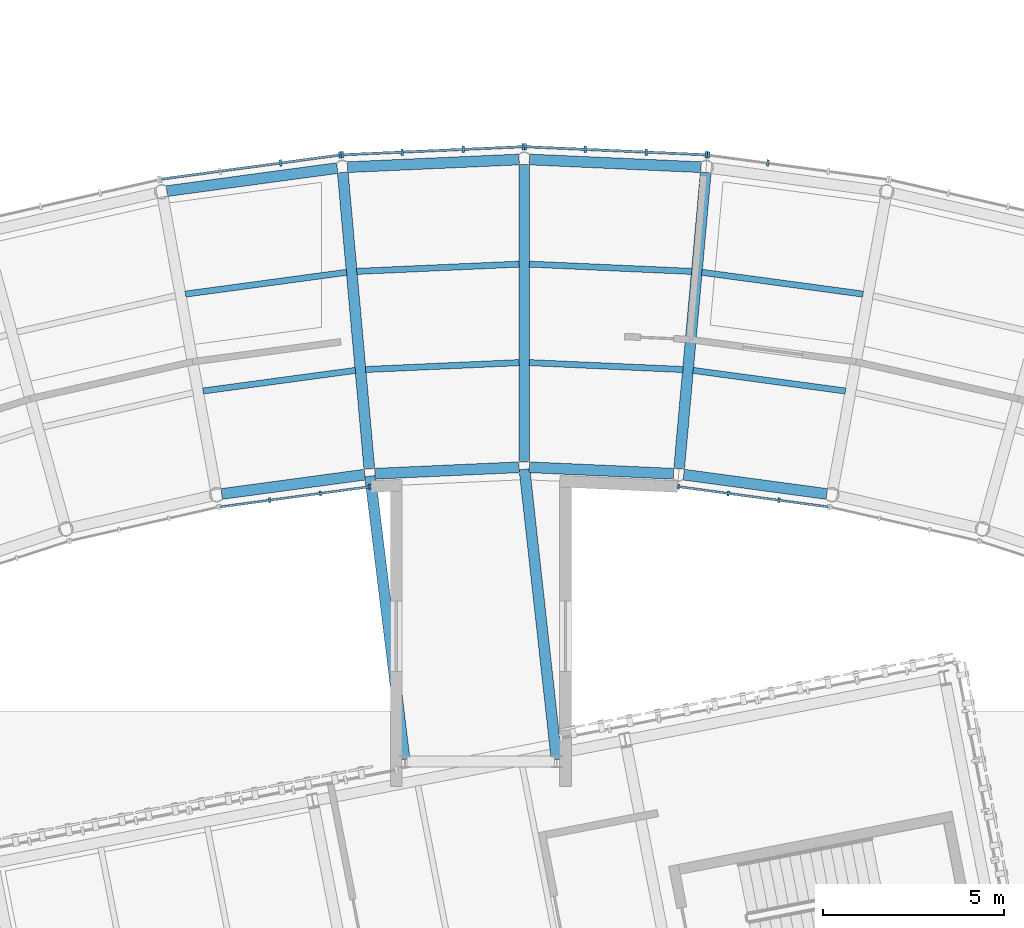
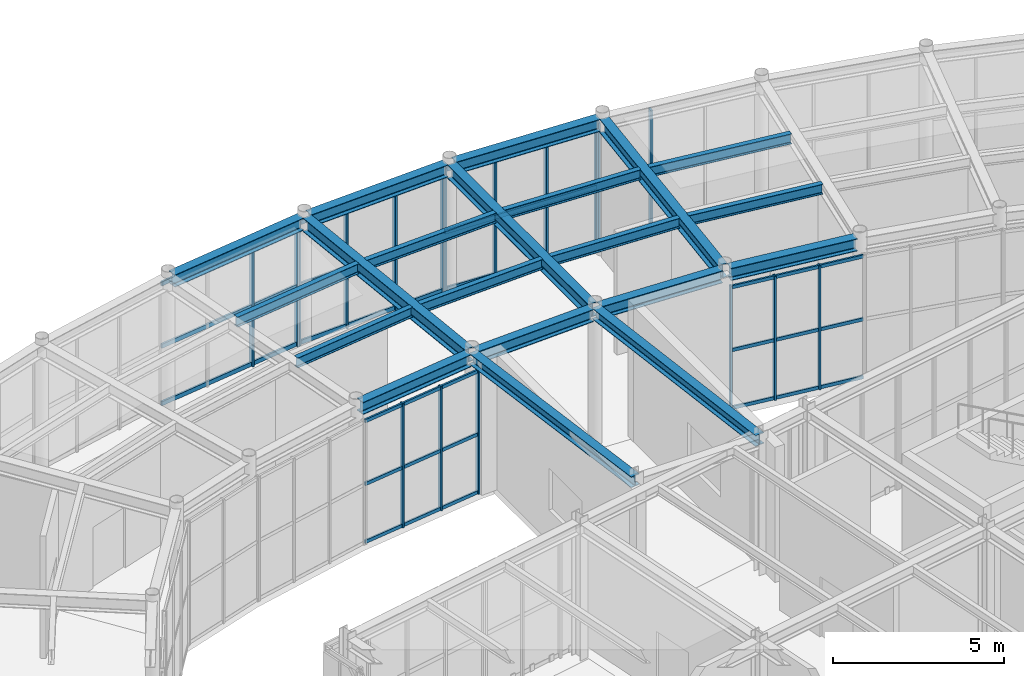
# One storey, part 47 of 97: 33 members, 20 beams, 6 elements without a shape of their own.
"""IFC4 building model written with IfcOpenShell, lengths in metres."""

from ifc_helpers import new_model, si_unit, direction, frame, origin, origin_2d, place, context, subcontext, project, spatial, rectangle, i_section, extrude, material, material_profile, profile_set, type_object, element, aggregate, save


model = new_model("IFC4")

# Units and contexts
model_context = context("Model", 3, precision=1e-05, world=origin(), true_north=direction((0.0, 1.0)))
body_context = subcontext(model_context, "Body", "Model", "MODEL_VIEW")
ifc_project = project(units=[si_unit("LENGTHUNIT", "METRE"), si_unit("AREAUNIT", "SQUARE_METRE"), si_unit("VOLUMEUNIT", "CUBIC_METRE"), si_unit("PLANEANGLEUNIT", "RADIAN"), si_unit("MASSUNIT", "GRAM", prefix="KILO")], contexts=[model_context])

# Site, building, storey
site_placement = place(None, origin())
site = spatial("IfcSite", under=ifc_project, at=site_placement, CompositionType="ELEMENT")
building_placement = place(site_placement, origin())
building = spatial("IfcBuilding", under=site, at=building_placement, Name="Varnklinge Art Gallery", CompositionType="ELEMENT")
storey_placement = place(building_placement, origin())
storey = spatial("IfcBuildingStorey", under=building, at=storey_placement, Name="L00", CompositionType="ELEMENT", Elevation=0.0)

# Beams
ifc_material_1 = material(Name="Steel S355", Category="steel")
ifc_material_profile_1 = material_profile(ifc_material_1, i_section(OverallWidth=0.300048828125, OverallDepth=0.489990234375, WebThickness=0.011962890625, FlangeThickness=0.02294921875, FilletRadius=0.027099609375, at=origin_2d()), Name="HEA 500")
ifc_profile_set_1 = profile_set([ifc_material_profile_1], Name="Steel S355")
beam_type_1 = type_object("IfcBeamType", Name="BM-07", PredefinedType="BEAM", material=ifc_profile_set_1)
beam_1_placement = place(storey_placement, frame((80.517822265625, 96.889892578125, 4.635009765625), z_axis=(-0.089446998225, -0.995991583553, 0.0), x_axis=(0.995991583553, -0.089446998225, 0.0)))
element("IfcBeam", 1, at=beam_1_placement, inside=storey, type_object=beam_type_1, Name="L00 BM-07 BM-V2-L01-R16", PredefinedType="BEAM", context=body_context, shape_type="SweptSolid", body=[
    extrude(i_section(OverallWidth=0.300048828125, OverallDepth=0.489990234375, WebThickness=0.011962890625, FlangeThickness=0.02294921875, FilletRadius=0.027099609375, at=origin_2d()), origin(), (0.0, 0.0, 1.0), 8.229248046875),
])
beam_2_placement = place(storey_placement, frame((75.5, 97.114501953125, 4.635009765625), z_axis=(0.0, -1.0, 0.0), x_axis=(1.0, 0.0, 0.0)))
element("IfcBeam", 2, at=beam_2_placement, inside=storey, type_object=beam_type_1, Name="L00 BM-07 BM-V2-L01-R17", PredefinedType="BEAM", context=body_context, shape_type="SweptSolid", body=[
    extrude(i_section(OverallWidth=0.300048828125, OverallDepth=0.489990234375, WebThickness=0.011962890625, FlangeThickness=0.02294921875, FilletRadius=0.027099609375, at=origin_2d()), origin(), (0.0, 0.0, 1.0), 8.22900390625),
])
beam_3_placement = place(storey_placement, frame((70.482177734375, 96.889892578125, 4.635009765625), z_axis=(0.089446998225, -0.995991583553, 0.0), x_axis=(0.995991583553, 0.089446998225, 0.0)))
element("IfcBeam", 3, at=beam_3_placement, inside=storey, type_object=beam_type_1, Name="L00 BM-07 BM-V2-L01-R18", PredefinedType="BEAM", context=body_context, shape_type="SweptSolid", body=[
    extrude(i_section(OverallWidth=0.300048828125, OverallDepth=0.489990234375, WebThickness=0.011962890625, FlangeThickness=0.02294921875, FilletRadius=0.027099609375, at=origin_2d()), origin(), (0.0, 0.0, 1.0), 8.229248046875),
])
ifc_material_2 = material(Name="Steel S355", Category="steel")
ifc_material_profile_2 = material_profile(ifc_material_2, i_section(OverallWidth=0.300048828125, OverallDepth=0.389892578125, WebThickness=0.010986328125, FlangeThickness=0.01904296875, FilletRadius=0.027099609375, at=origin_2d()), Name="HEA 400")
ifc_profile_set_2 = profile_set([ifc_material_profile_2], Name="Steel S355")
beam_type_2 = type_object("IfcBeamType", Name="BM-09", PredefinedType="BEAM", material=ifc_profile_set_2)
beam_4_placement = place(storey_placement, frame((76.393310546875, 80.65966796875, 4.68505859375), z_axis=(-0.109810964055, 0.993952489897, 0.0), x_axis=(-0.993952489897, -0.109810964055, 0.0)))
element("IfcBeam", 4, at=beam_4_placement, inside=storey, type_object=beam_type_2, Name="L00 BM-09 BM-LNK-V4N-L01-2", PredefinedType="BEAM", context=body_context, shape_type="SweptSolid", body=[
    extrude(i_section(OverallWidth=0.300048828125, OverallDepth=0.389892578125, WebThickness=0.010986328125, FlangeThickness=0.01904296875, FilletRadius=0.027099609375, at=origin_2d()), origin(), (0.0, 0.0, 1.0), 8.074951171875),
])
beam_5_placement = place(storey_placement, frame((71.238037109375, 88.494384765625, 4.68505859375), z_axis=(0.120946581817, -0.992659017159, 0.0), x_axis=(0.992659017159, 0.120946581817, 0.0)))
element("IfcBeam", 5, at=beam_5_placement, inside=storey, type_object=beam_type_2, Name="L00 BM-09 BM-LNK-V4N-L01-4", PredefinedType="BEAM", context=body_context, shape_type="SweptSolid", body=[
    extrude(i_section(OverallWidth=0.300048828125, OverallDepth=0.389892578125, WebThickness=0.010986328125, FlangeThickness=0.01904296875, FilletRadius=0.027099609375, at=origin_2d()), origin(), (0.0, 0.0, 1.0), 7.892578125),
])
ifc_material_3 = material(Name="Steel S355", Category="steel")
ifc_material_profile_3 = material_profile(ifc_material_3, i_section(OverallWidth=0.169921875, OverallDepth=0.360107421875, WebThickness=0.008056640625, FlangeThickness=0.0126953125, FilletRadius=0.01806640625, at=origin_2d()), Name="IPE 360")
ifc_profile_set_3 = profile_set([ifc_material_profile_3], Name="Steel S355")
beam_type_3 = type_object("IfcBeamType", Name="JST-06", PredefinedType="JOIST", material=ifc_profile_set_3)
beam_6_placement = place(storey_placement, frame((84.8662109375, 93.52685546875, 4.699951171875), z_axis=(-0.990994962068, 0.1338991604, 0.0), x_axis=(-0.1338991604, -0.990994962068, 0.0)))
element("IfcBeam", 6, at=beam_6_placement, inside=storey, type_object=beam_type_3, Name="L00 JST-06 JST-V2-L01-15-1", PredefinedType="JOIST", context=body_context, shape_type="SweptSolid", body=[
    extrude(i_section(OverallWidth=0.169921875, OverallDepth=0.360107421875, WebThickness=0.008056640625, FlangeThickness=0.0126953125, FilletRadius=0.01806640625, at=origin_2d()), origin(), (0.0, 0.0, 1.0), 4.496337890625),
])
beam_7_placement = place(storey_placement, frame((84.381103515625, 90.847412109375, 4.699951171875), z_axis=(-0.990990165217, 0.133934657366, 0.0), x_axis=(-0.133934657366, -0.990990165217, 0.0)))
element("IfcBeam", 7, at=beam_7_placement, inside=storey, type_object=beam_type_3, Name="L00 JST-06 JST-V2-L01-15-2", PredefinedType="JOIST", context=body_context, shape_type="SweptSolid", body=[
    extrude(i_section(OverallWidth=0.169921875, OverallDepth=0.360107421875, WebThickness=0.008056640625, FlangeThickness=0.0126953125, FilletRadius=0.01806640625, at=origin_2d()), origin(), (0.0, 0.0, 1.0), 4.252685546875),
])
beam_8_placement = place(storey_placement, frame((80.131591796875, 94.154052734375, 4.699951171875), z_axis=(-0.998998547329, 0.044742624361, 0.0), x_axis=(-0.044742624361, -0.998998547329, 0.0)))
element("IfcBeam", 8, at=beam_8_placement, inside=storey, type_object=beam_type_3, Name="L00 JST-06 JST-V2-L01-16-1", PredefinedType="JOIST", context=body_context, shape_type="SweptSolid", body=[
    extrude(i_section(OverallWidth=0.169921875, OverallDepth=0.360107421875, WebThickness=0.008056640625, FlangeThickness=0.0126953125, FilletRadius=0.01806640625, at=origin_2d()), origin(), (0.0, 0.0, 1.0), 4.49609375),
])
beam_9_placement = place(storey_placement, frame((79.88818359375, 91.44189453125, 4.699951171875), z_axis=(-0.998996870661, 0.044780044774, 0.0), x_axis=(-0.044780044774, -0.998996870661, 0.0)))
element("IfcBeam", 9, at=beam_9_placement, inside=storey, type_object=beam_type_3, Name="L00 JST-06 JST-V2-L01-16-2", PredefinedType="JOIST", context=body_context, shape_type="SweptSolid", body=[
    extrude(i_section(OverallWidth=0.169921875, OverallDepth=0.360107421875, WebThickness=0.008056640625, FlangeThickness=0.0126953125, FilletRadius=0.01806640625, at=origin_2d()), origin(), (0.0, 0.0, 1.0), 4.25244140625),
])
beam_10_placement = place(storey_placement, frame((75.360107421875, 94.355224609375, 4.699951171875), z_axis=(-0.998998547329, -0.044742624361, 0.0), x_axis=(0.044742624361, -0.998998547329, 0.0)))
element("IfcBeam", 10, at=beam_10_placement, inside=storey, type_object=beam_type_3, Name="L00 JST-06 JST-V2-L01-17-1", PredefinedType="JOIST", context=body_context, shape_type="SweptSolid", body=[
    extrude(i_section(OverallWidth=0.169921875, OverallDepth=0.360107421875, WebThickness=0.008056640625, FlangeThickness=0.0126953125, FilletRadius=0.01806640625, at=origin_2d()), origin(), (0.0, 0.0, 1.0), 4.49609375),
])
beam_11_placement = place(storey_placement, frame((75.360107421875, 91.63232421875, 4.699951171875), z_axis=(-0.998996870661, -0.044780044774, 0.0), x_axis=(0.044780044774, -0.998996870661, 0.0)))
element("IfcBeam", 11, at=beam_11_placement, inside=storey, type_object=beam_type_3, Name="L00 JST-06 JST-V2-L01-17-2", PredefinedType="JOIST", context=body_context, shape_type="SweptSolid", body=[
    extrude(i_section(OverallWidth=0.169921875, OverallDepth=0.360107421875, WebThickness=0.008056640625, FlangeThickness=0.0126953125, FilletRadius=0.01806640625, at=origin_2d()), origin(), (0.0, 0.0, 1.0), 4.25244140625),
])
beam_12_placement = place(storey_placement, frame((70.589599609375, 94.12890625, 4.699951171875), z_axis=(-0.990994962068, -0.1338991604, 0.0), x_axis=(0.1338991604, -0.990994962068, 0.0)))
element("IfcBeam", 12, at=beam_12_placement, inside=storey, type_object=beam_type_3, Name="L00 JST-06 JST-V2-L01-18-1", PredefinedType="JOIST", context=body_context, shape_type="SweptSolid", body=[
    extrude(i_section(OverallWidth=0.169921875, OverallDepth=0.360107421875, WebThickness=0.008056640625, FlangeThickness=0.0126953125, FilletRadius=0.01806640625, at=origin_2d()), origin(), (0.0, 0.0, 1.0), 4.496337890625),
])
beam_13_placement = place(storey_placement, frame((70.833251953125, 91.4169921875, 4.699951171875), z_axis=(-0.990990165217, -0.133934657366, 0.0), x_axis=(0.133934657366, -0.990990165217, 0.0)))
element("IfcBeam", 13, at=beam_13_placement, inside=storey, type_object=beam_type_3, Name="L00 JST-06 JST-V2-L01-18-2", PredefinedType="JOIST", context=body_context, shape_type="SweptSolid", body=[
    extrude(i_section(OverallWidth=0.169921875, OverallDepth=0.360107421875, WebThickness=0.008056640625, FlangeThickness=0.0126953125, FilletRadius=0.01806640625, at=origin_2d()), origin(), (0.0, 0.0, 1.0), 4.252685546875),
])

# Curtain wall, members
ifc_material_4 = material(Name="Anodised Aluminium", Category="aluminium")
curtain_wall_type = type_object("IfcCurtainWallType", Name="CW-R03", PredefinedType="USERDEFINED", material=ifc_material_4)
curtain_wall_1_placement = place(storey_placement, origin())
curtain_wall_1 = element("IfcCurtainWall", 14, at=curtain_wall_1_placement, inside=storey, type_object=curtain_wall_type, Name="L00 Curtain Wall CW-V2O-L00-15", ObjectType="UNITISED CURTAIN WALL", PredefinedType="USERDEFINED")
ifc_material_5 = material(Name="Anodised Aluminium", Category="aluminium")
ifc_material_profile_4 = material_profile(ifc_material_5, rectangle(XDim=0.06494140625, YDim=0.179931640625, at=origin_2d()), Name="ALU 65x180")
ifc_profile_set_4 = profile_set([ifc_material_profile_4], Name="Anodised Aluminium")
member_type_1 = type_object("IfcMemberType", Name="MUL-01", PredefinedType="MULLION", material=ifc_profile_set_4)
member_1_placement = place(storey_placement, frame((82.235107421875, 97.151611328125, 0.0), z_axis=(0.0, 0.0, 1.0), x_axis=(-0.990983199715, 0.133986185418, 0.0)))
member_1 = element("IfcMember", 15, at=member_1_placement, type_object=member_type_1, Name="CW-V2O-L00-15 Mullion 3", PredefinedType="MULLION", context=body_context, shape_type="SweptSolid", body=[
    extrude(rectangle(XDim=0.06494140625, YDim=0.179931640625, at=origin_2d()), origin(), (0.0, 0.0, 1.0), 4.429931640625),
])
member_2_placement = place(storey_placement, frame((80.59375, 97.37353515625, 0.0), z_axis=(0.0, 0.0, 1.0), x_axis=(-0.990983199715, 0.133986185418, 0.0)))
member_2 = element("IfcMember", 16, at=member_2_placement, type_object=member_type_1, Name="CW-V2O-L00-15 Mullion 4", PredefinedType="MULLION", context=body_context, shape_type="SweptSolid", body=[
    extrude(rectangle(XDim=0.06494140625, YDim=0.179931640625, at=origin_2d()), origin(), (0.0, 0.0, 1.0), 4.429931640625),
])
aggregate(curtain_wall_1, [member_1, member_2])

curtain_wall_2_placement = place(storey_placement, origin())
curtain_wall_2 = element("IfcCurtainWall", 17, at=curtain_wall_2_placement, inside=storey, type_object=curtain_wall_type, Name="L00 Curtain Wall CW-V2O-L00-16", ObjectType="UNITISED CURTAIN WALL", PredefinedType="USERDEFINED")
member_3_placement = place(storey_placement, frame((80.529052734375, 97.37939453125, 0.0), z_axis=(0.0, 0.0, 1.0), x_axis=(-0.999001995685, 0.044665564108, 0.0)))
member_3 = element("IfcMember", 18, at=member_3_placement, type_object=member_type_1, Name="CW-V2O-L00-16 Mullion 1", PredefinedType="MULLION", context=body_context, shape_type="SweptSolid", body=[
    extrude(rectangle(XDim=0.06494140625, YDim=0.179931640625, at=origin_2d()), origin(), (0.0, 0.0, 1.0), 4.429931640625),
])
member_4_placement = place(storey_placement, frame((78.87451171875, 97.45361328125, 0.0), z_axis=(0.0, 0.0, 1.0), x_axis=(-0.999001995685, 0.044665564108, 0.0)))
member_4 = element("IfcMember", 19, at=member_4_placement, type_object=member_type_1, Name="CW-V2O-L00-16 Mullion 2", PredefinedType="MULLION", context=body_context, shape_type="SweptSolid", body=[
    extrude(rectangle(XDim=0.06494140625, YDim=0.179931640625, at=origin_2d()), origin(), (0.0, 0.0, 1.0), 4.429931640625),
])
member_5_placement = place(storey_placement, frame((77.187255859375, 97.529052734375, 0.0), z_axis=(0.0, 0.0, 1.0), x_axis=(-0.999001995685, 0.044665564108, 0.0)))
member_5 = element("IfcMember", 20, at=member_5_placement, type_object=member_type_1, Name="CW-V2O-L00-16 Mullion 3", PredefinedType="MULLION", context=body_context, shape_type="SweptSolid", body=[
    extrude(rectangle(XDim=0.06494140625, YDim=0.179931640625, at=origin_2d()), origin(), (0.0, 0.0, 1.0), 4.429931640625),
])
member_6_placement = place(storey_placement, frame((75.532470703125, 97.60302734375, 0.0), z_axis=(0.0, 0.0, 1.0), x_axis=(-0.999001995685, 0.044665564108, 0.0)))
member_6 = element("IfcMember", 21, at=member_6_placement, type_object=member_type_1, Name="CW-V2O-L00-16 Mullion 4", PredefinedType="MULLION", context=body_context, shape_type="SweptSolid", body=[
    extrude(rectangle(XDim=0.06494140625, YDim=0.179931640625, at=origin_2d()), origin(), (0.0, 0.0, 1.0), 4.429931640625),
])

curtain_wall_3_placement = place(storey_placement, origin())
curtain_wall_3 = element("IfcCurtainWall", 22, at=curtain_wall_3_placement, inside=storey, type_object=curtain_wall_type, Name="L00 Curtain Wall CW-V2O-L00-17", ObjectType="UNITISED CURTAIN WALL", PredefinedType="USERDEFINED")
member_7_placement = place(storey_placement, frame((75.467529296875, 97.60302734375, 0.0), z_axis=(0.0, 0.0, 1.0), x_axis=(-0.999001995685, -0.044665564108, 0.0)))
member_7 = element("IfcMember", 23, at=member_7_placement, type_object=member_type_1, Name="CW-V2O-L00-17 Mullion 1", PredefinedType="MULLION", context=body_context, shape_type="SweptSolid", body=[
    extrude(rectangle(XDim=0.06494140625, YDim=0.179931640625, at=origin_2d()), origin(), (0.0, 0.0, 1.0), 4.429931640625),
])
member_8_placement = place(storey_placement, frame((73.812744140625, 97.529052734375, 0.0), z_axis=(0.0, 0.0, 1.0), x_axis=(-0.999001995685, -0.044665564108, 0.0)))
member_8 = element("IfcMember", 24, at=member_8_placement, type_object=member_type_1, Name="CW-V2O-L00-17 Mullion 2", PredefinedType="MULLION", context=body_context, shape_type="SweptSolid", body=[
    extrude(rectangle(XDim=0.06494140625, YDim=0.179931640625, at=origin_2d()), origin(), (0.0, 0.0, 1.0), 4.429931640625),
])
member_9_placement = place(storey_placement, frame((72.12548828125, 97.45361328125, 0.0), z_axis=(0.0, 0.0, 1.0), x_axis=(-0.999001995685, -0.044665564108, 0.0)))
member_9 = element("IfcMember", 25, at=member_9_placement, type_object=member_type_1, Name="CW-V2O-L00-17 Mullion 3", PredefinedType="MULLION", context=body_context, shape_type="SweptSolid", body=[
    extrude(rectangle(XDim=0.06494140625, YDim=0.179931640625, at=origin_2d()), origin(), (0.0, 0.0, 1.0), 4.429931640625),
])
member_10_placement = place(storey_placement, frame((70.470947265625, 97.37939453125, 0.0), z_axis=(0.0, 0.0, 1.0), x_axis=(-0.999001995685, -0.044665564108, 0.0)))
member_10 = element("IfcMember", 26, at=member_10_placement, type_object=member_type_1, Name="CW-V2O-L00-17 Mullion 4", PredefinedType="MULLION", context=body_context, shape_type="SweptSolid", body=[
    extrude(rectangle(XDim=0.06494140625, YDim=0.179931640625, at=origin_2d()), origin(), (0.0, 0.0, 1.0), 4.429931640625),
])

curtain_wall_4_placement = place(storey_placement, origin())
curtain_wall_4 = element("IfcCurtainWall", 27, at=curtain_wall_4_placement, inside=storey, type_object=curtain_wall_type, Name="L00 Curtain Wall CW-V2O-L00-18", ObjectType="UNITISED CURTAIN WALL", PredefinedType="USERDEFINED")
member_11_placement = place(storey_placement, frame((70.40625, 97.37353515625, 0.0), z_axis=(0.0, 0.0, 1.0), x_axis=(-0.990983199715, -0.133986185418, 0.0)))
member_11 = element("IfcMember", 28, at=member_11_placement, type_object=member_type_1, Name="CW-V2O-L00-18 Mullion 1", PredefinedType="MULLION", context=body_context, shape_type="SweptSolid", body=[
    extrude(rectangle(XDim=0.06494140625, YDim=0.179931640625, at=origin_2d()), origin(), (0.0, 0.0, 1.0), 4.429931640625),
])
member_12_placement = place(storey_placement, frame((68.764892578125, 97.151611328125, 0.0), z_axis=(0.0, 0.0, 1.0), x_axis=(-0.990983199715, -0.133986185418, 0.0)))
member_12 = element("IfcMember", 29, at=member_12_placement, type_object=member_type_1, Name="CW-V2O-L00-18 Mullion 2", PredefinedType="MULLION", context=body_context, shape_type="SweptSolid", body=[
    extrude(rectangle(XDim=0.06494140625, YDim=0.179931640625, at=origin_2d()), origin(), (0.0, 0.0, 1.0), 4.429931640625),
])

curtain_wall_5_placement = place(storey_placement, origin())
curtain_wall_5 = element("IfcCurtainWall", 30, at=curtain_wall_5_placement, inside=storey, type_object=curtain_wall_type, Name="L00 Curtain Wall CW-V2I-L00-15", ObjectType="UNITISED CURTAIN WALL", PredefinedType="USERDEFINED")
ifc_material_6 = material(Name="Anodised Aluminium", Category="aluminium")
ifc_material_profile_5 = material_profile(ifc_material_6, rectangle(XDim=0.06005859375, YDim=0.139892578125, at=origin_2d()), Name="ALU 60x140")
ifc_profile_set_5 = profile_set([ifc_material_profile_5], Name="Anodised Aluminium")
member_type_2 = type_object("IfcMemberType", Name="MUL-03", PredefinedType="MULLION", material=ifc_profile_set_5)
member_13_placement = place(storey_placement, frame((79.767578125, 88.201416015625, 0.0), z_axis=(0.0, 0.0, 1.0), x_axis=(0.990983199715, -0.133986185418, 0.0)))
member_13 = element("IfcMember", 31, at=member_13_placement, type_object=member_type_2, Name="CW-V2I-L00-15 Mullion 1", PredefinedType="MULLION", context=body_context, shape_type="SweptSolid", body=[
    extrude(rectangle(XDim=0.06005859375, YDim=0.139892578125, at=origin_2d()), origin(), (0.0, 0.0, 1.0), 4.429931640625),
])
member_14_placement = place(storey_placement, frame((81.139404296875, 88.01611328125, 0.0), z_axis=(0.0, 0.0, 1.0), x_axis=(0.990983199715, -0.133986185418, 0.0)))
member_14 = element("IfcMember", 32, at=member_14_placement, type_object=member_type_2, Name="CW-V2I-L00-15 Mullion 2", PredefinedType="MULLION", context=body_context, shape_type="SweptSolid", body=[
    extrude(rectangle(XDim=0.06005859375, YDim=0.139892578125, at=origin_2d()), origin(), (0.0, 0.0, 1.0), 4.429931640625),
])
member_15_placement = place(storey_placement, frame((82.540771484375, 87.826904296875, 0.0), z_axis=(0.0, 0.0, 1.0), x_axis=(0.990983199715, -0.133986185418, 0.0)))
member_15 = element("IfcMember", 33, at=member_15_placement, type_object=member_type_2, Name="CW-V2I-L00-15 Mullion 3", PredefinedType="MULLION", context=body_context, shape_type="SweptSolid", body=[
    extrude(rectangle(XDim=0.06005859375, YDim=0.139892578125, at=origin_2d()), origin(), (0.0, 0.0, 1.0), 4.429931640625),
])

curtain_wall_6_placement = place(storey_placement, origin())
curtain_wall_6 = element("IfcCurtainWall", 34, at=curtain_wall_6_placement, inside=storey, type_object=curtain_wall_type, Name="L00 Curtain Wall CW-V2I-L00-18", ObjectType="UNITISED CURTAIN WALL", PredefinedType="USERDEFINED")
member_16_placement = place(storey_placement, frame((68.459228515625, 87.826904296875, 0.0), z_axis=(0.0, 0.0, 1.0), x_axis=(0.990983199715, 0.133986185418, 0.0)))
member_16 = element("IfcMember", 35, at=member_16_placement, type_object=member_type_2, Name="CW-V2I-L00-18 Mullion 2", PredefinedType="MULLION", context=body_context, shape_type="SweptSolid", body=[
    extrude(rectangle(XDim=0.06005859375, YDim=0.139892578125, at=origin_2d()), origin(), (0.0, 0.0, 1.0), 4.429931640625),
])
member_17_placement = place(storey_placement, frame((69.860595703125, 88.01611328125, 0.0), z_axis=(0.0, 0.0, 1.0), x_axis=(0.990983199715, 0.133986185418, 0.0)))
member_17 = element("IfcMember", 36, at=member_17_placement, type_object=member_type_2, Name="CW-V2I-L00-18 Mullion 3", PredefinedType="MULLION", context=body_context, shape_type="SweptSolid", body=[
    extrude(rectangle(XDim=0.06005859375, YDim=0.139892578125, at=origin_2d()), origin(), (0.0, 0.0, 1.0), 4.429931640625),
])
member_18_placement = place(storey_placement, frame((71.232421875, 88.201416015625, 0.0), z_axis=(0.0, 0.0, 1.0), x_axis=(0.990983199715, 0.133986185418, 0.0)))
member_18 = element("IfcMember", 37, at=member_18_placement, type_object=member_type_2, Name="CW-V2I-L00-18 Mullion 4", PredefinedType="MULLION", context=body_context, shape_type="SweptSolid", body=[
    extrude(rectangle(XDim=0.06005859375, YDim=0.139892578125, at=origin_2d()), origin(), (0.0, 0.0, 1.0), 4.429931640625),
])

# Beams
ifc_material_7 = material(Name="Steel S355", Category="steel")
ifc_material_profile_6 = material_profile(ifc_material_7, i_section(OverallWidth=0.300048828125, OverallDepth=0.43994140625, WebThickness=0.011474609375, FlangeThickness=0.02099609375, FilletRadius=0.027099609375, at=origin_2d()), Name="HEA 450")
ifc_profile_set_6 = profile_set([ifc_material_profile_6], Name="Steel S355")
beam_type_4 = type_object("IfcBeamType", Name="SPB-02", PredefinedType="SPANDREL", material=ifc_profile_set_6)
beam_14_placement = place(storey_placement, frame((83.86572265625, 88.00048828125, 4.659912109375), z_axis=(-0.990989799055, 0.133937366586, 0.0), x_axis=(-0.133937366586, -0.990989799055, 0.0)))
element("IfcBeam", 38, at=beam_14_placement, inside=storey, type_object=beam_type_4, Name="L00 SPB-02 BM-V2-L01-I15", PredefinedType="SPANDREL", context=body_context, shape_type="SweptSolid", body=[
    extrude(i_section(OverallWidth=0.300048828125, OverallDepth=0.43994140625, WebThickness=0.011474609375, FlangeThickness=0.02099609375, FilletRadius=0.027099609375, at=origin_2d()), origin(), (0.0, 0.0, 1.0), 3.99365234375),
])
beam_15_placement = place(storey_placement, frame((80.390380859375, 97.03564453125, 4.659912109375), z_axis=(-0.998999636454, 0.0447183001, 0.0), x_axis=(-0.0447183001, -0.998999636454, 0.0)))
element("IfcBeam", 39, at=beam_15_placement, inside=storey, type_object=beam_type_4, Name="L00 SPB-02 BM-V2-L01-O16", PredefinedType="SPANDREL", context=body_context, shape_type="SweptSolid", body=[
    extrude(i_section(OverallWidth=0.300048828125, OverallDepth=0.43994140625, WebThickness=0.011474609375, FlangeThickness=0.02099609375, FilletRadius=0.027099609375, at=origin_2d()), origin(), (0.0, 0.0, 1.0), 4.755126953125),
])
beam_16_placement = place(storey_placement, frame((79.62939453125, 88.560302734375, 4.659912109375), z_axis=(-0.998998197966, 0.044750424142, 0.0), x_axis=(-0.044750424142, -0.998998197966, 0.0)))
element("IfcBeam", 40, at=beam_16_placement, inside=storey, type_object=beam_type_4, Name="L00 SPB-02 BM-V2-L01-I16", PredefinedType="SPANDREL", context=body_context, shape_type="SweptSolid", body=[
    extrude(i_section(OverallWidth=0.300048828125, OverallDepth=0.43994140625, WebThickness=0.011474609375, FlangeThickness=0.02099609375, FilletRadius=0.027099609375, at=origin_2d()), origin(), (0.0, 0.0, 1.0), 3.993408203125),
])
beam_17_placement = place(storey_placement, frame((75.360107421875, 97.248291015625, 4.659912109375), z_axis=(-0.998999636454, -0.0447183001, 0.0), x_axis=(0.0447183001, -0.998999636454, 0.0)))
element("IfcBeam", 41, at=beam_17_placement, inside=storey, type_object=beam_type_4, Name="L00 SPB-02 BM-V2-L01-O17", PredefinedType="SPANDREL", context=body_context, shape_type="SweptSolid", body=[
    extrude(i_section(OverallWidth=0.300048828125, OverallDepth=0.43994140625, WebThickness=0.011474609375, FlangeThickness=0.02099609375, FilletRadius=0.027099609375, at=origin_2d()), origin(), (0.0, 0.0, 1.0), 4.755126953125),
])
beam_18_placement = place(storey_placement, frame((75.360107421875, 88.739013671875, 4.659912109375), z_axis=(-0.998998197966, -0.044750424142, 0.0), x_axis=(0.044750424142, -0.998998197966, 0.0)))
element("IfcBeam", 42, at=beam_18_placement, inside=storey, type_object=beam_type_4, Name="L00 SPB-02 BM-V2-L01-I17", PredefinedType="SPANDREL", context=body_context, shape_type="SweptSolid", body=[
    extrude(i_section(OverallWidth=0.300048828125, OverallDepth=0.43994140625, WebThickness=0.011474609375, FlangeThickness=0.02099609375, FilletRadius=0.027099609375, at=origin_2d()), origin(), (0.0, 0.0, 1.0), 3.993408203125),
])
beam_19_placement = place(storey_placement, frame((70.3310546875, 97.010498046875, 4.659912109375), z_axis=(-0.990995928782, -0.133892005505, 0.0), x_axis=(0.133892005505, -0.990995928782, 0.0)))
element("IfcBeam", 43, at=beam_19_placement, inside=storey, type_object=beam_type_4, Name="L00 SPB-02 BM-V2-L01-O18", PredefinedType="SPANDREL", context=body_context, shape_type="SweptSolid", body=[
    extrude(i_section(OverallWidth=0.300048828125, OverallDepth=0.43994140625, WebThickness=0.011474609375, FlangeThickness=0.02099609375, FilletRadius=0.027099609375, at=origin_2d()), origin(), (0.0, 0.0, 1.0), 4.75537109375),
])
beam_20_placement = place(storey_placement, frame((71.092041015625, 88.535400390625, 4.659912109375), z_axis=(-0.990989799055, -0.133937366586, 0.0), x_axis=(0.133937366586, -0.990989799055, 0.0)))
element("IfcBeam", 44, at=beam_20_placement, inside=storey, type_object=beam_type_4, Name="L00 SPB-02 BM-V2-L01-I18", PredefinedType="SPANDREL", context=body_context, shape_type="SweptSolid", body=[
    extrude(i_section(OverallWidth=0.300048828125, OverallDepth=0.43994140625, WebThickness=0.011474609375, FlangeThickness=0.02099609375, FilletRadius=0.027099609375, at=origin_2d()), origin(), (0.0, 0.0, 1.0), 3.99365234375),
])

# Member
ifc_material_8 = material(Name="Anodised Aluminium", Category="aluminium")
ifc_material_profile_7 = material_profile(ifc_material_8, rectangle(XDim=0.06494140625, YDim=0.14990234375, at=origin_2d()), Name="ALU 65x150")
ifc_profile_set_7 = profile_set([ifc_material_profile_7], Name="Anodised Aluminium")
member_type_3 = type_object("IfcMemberType", Name="TRN-01", PredefinedType="USERDEFINED", material=ifc_profile_set_7)
member_19_placement = place(storey_placement, frame((80.529052734375, 97.37939453125, 0.074951171875), z_axis=(-0.998999900695, 0.044712396611, 0.0), x_axis=(-0.044712396611, -0.998999900695, 0.0)))
member_19 = element("IfcMember", 45, at=member_19_placement, type_object=member_type_3, Name="CW-V2O-L00-16 Transom 1", ObjectType="TRANSOM", PredefinedType="USERDEFINED", context=body_context, shape_type="SweptSolid", body=[
    extrude(rectangle(XDim=0.06494140625, YDim=0.14990234375, at=origin_2d()), origin(), (0.0, 0.0, 1.0), 5.00146484375),
])

member_20_placement = place(storey_placement, frame((80.529052734375, 97.37939453125, 2.12646484375), z_axis=(-0.998999900695, 0.044712396611, 0.0), x_axis=(-0.044712396611, -0.998999900695, 0.0)))
member_20 = element("IfcMember", 46, at=member_20_placement, type_object=member_type_3, Name="CW-V2O-L00-16 Transom 2", ObjectType="TRANSOM", PredefinedType="USERDEFINED", context=body_context, shape_type="SweptSolid", body=[
    extrude(rectangle(XDim=0.06494140625, YDim=0.14990234375, at=origin_2d()), origin(), (0.0, 0.0, 1.0), 5.00146484375),
])

member_21_placement = place(storey_placement, frame((80.529052734375, 97.37939453125, 4.35498046875), z_axis=(-0.998999900695, 0.044712396611, 0.0), x_axis=(-0.044712396611, -0.998999900695, 0.0)))
member_21 = element("IfcMember", 47, at=member_21_placement, type_object=member_type_3, Name="CW-V2O-L00-16 Transom 3", ObjectType="TRANSOM", PredefinedType="USERDEFINED", context=body_context, shape_type="SweptSolid", body=[
    extrude(rectangle(XDim=0.06494140625, YDim=0.14990234375, at=origin_2d()), origin(), (0.0, 0.0, 1.0), 5.00146484375),
])

aggregate(curtain_wall_2, [member_3, member_4, member_5, member_6, member_19, member_20, member_21])

member_22_placement = place(storey_placement, frame((75.467529296875, 97.60302734375, 0.074951171875), z_axis=(-0.998999900695, -0.044712396611, 0.0), x_axis=(0.044712396611, -0.998999900695, 0.0)))
member_22 = element("IfcMember", 48, at=member_22_placement, type_object=member_type_3, Name="CW-V2O-L00-17 Transom 1", ObjectType="TRANSOM", PredefinedType="USERDEFINED", context=body_context, shape_type="SweptSolid", body=[
    extrude(rectangle(XDim=0.06494140625, YDim=0.14990234375, at=origin_2d()), origin(), (0.0, 0.0, 1.0), 5.00146484375),
])

member_23_placement = place(storey_placement, frame((75.467529296875, 97.60302734375, 2.12646484375), z_axis=(-0.998999900695, -0.044712396611, 0.0), x_axis=(0.044712396611, -0.998999900695, 0.0)))
member_23 = element("IfcMember", 49, at=member_23_placement, type_object=member_type_3, Name="CW-V2O-L00-17 Transom 2", ObjectType="TRANSOM", PredefinedType="USERDEFINED", context=body_context, shape_type="SweptSolid", body=[
    extrude(rectangle(XDim=0.06494140625, YDim=0.14990234375, at=origin_2d()), origin(), (0.0, 0.0, 1.0), 5.00146484375),
])

member_24_placement = place(storey_placement, frame((75.467529296875, 97.60302734375, 4.35498046875), z_axis=(-0.998999900695, -0.044712396611, 0.0), x_axis=(0.044712396611, -0.998999900695, 0.0)))
member_24 = element("IfcMember", 50, at=member_24_placement, type_object=member_type_3, Name="CW-V2O-L00-17 Transom 3", ObjectType="TRANSOM", PredefinedType="USERDEFINED", context=body_context, shape_type="SweptSolid", body=[
    extrude(rectangle(XDim=0.06494140625, YDim=0.14990234375, at=origin_2d()), origin(), (0.0, 0.0, 1.0), 5.00146484375),
])

aggregate(curtain_wall_3, [member_7, member_8, member_9, member_10, member_22, member_23, member_24])

member_25_placement = place(storey_placement, frame((70.40625, 97.37353515625, 0.074951171875), z_axis=(-0.990995756653, -0.133893279504, 0.0), x_axis=(0.133893279504, -0.990995756653, 0.0)))
member_25 = element("IfcMember", 51, at=member_25_placement, type_object=member_type_3, Name="CW-V2O-L00-18 Transom 1", ObjectType="TRANSOM", PredefinedType="USERDEFINED", context=body_context, shape_type="SweptSolid", body=[
    extrude(rectangle(XDim=0.06494140625, YDim=0.14990234375, at=origin_2d()), origin(), (0.0, 0.0, 1.0), 5.00146484375),
])

member_26_placement = place(storey_placement, frame((70.40625, 97.37353515625, 2.12646484375), z_axis=(-0.990995756653, -0.133893279504, 0.0), x_axis=(0.133893279504, -0.990995756653, 0.0)))
member_26 = element("IfcMember", 52, at=member_26_placement, type_object=member_type_3, Name="CW-V2O-L00-18 Transom 2", ObjectType="TRANSOM", PredefinedType="USERDEFINED", context=body_context, shape_type="SweptSolid", body=[
    extrude(rectangle(XDim=0.06494140625, YDim=0.14990234375, at=origin_2d()), origin(), (0.0, 0.0, 1.0), 5.00146484375),
])

member_27_placement = place(storey_placement, frame((70.40625, 97.37353515625, 4.35498046875), z_axis=(-0.990995756653, -0.133893279504, 0.0), x_axis=(0.133893279504, -0.990995756653, 0.0)))
member_27 = element("IfcMember", 53, at=member_27_placement, type_object=member_type_3, Name="CW-V2O-L00-18 Transom 3", ObjectType="TRANSOM", PredefinedType="USERDEFINED", context=body_context, shape_type="SweptSolid", body=[
    extrude(rectangle(XDim=0.06494140625, YDim=0.14990234375, at=origin_2d()), origin(), (0.0, 0.0, 1.0), 5.00146484375),
])

aggregate(curtain_wall_4, [member_11, member_12, member_25, member_26, member_27])

ifc_material_9 = material(Name="Anodised Aluminium", Category="aluminium")
ifc_material_profile_8 = material_profile(ifc_material_9, rectangle(XDim=0.06005859375, YDim=0.1201171875, at=origin_2d()), Name="ALU 60x120")
ifc_profile_set_8 = profile_set([ifc_material_profile_8], Name="Anodised Aluminium")
member_type_4 = type_object("IfcMemberType", Name="TRN-02", PredefinedType="USERDEFINED", material=ifc_profile_set_8)
member_28_placement = place(storey_placement, frame((79.767578125, 88.201416015625, 0.06005859375), z_axis=(0.99099389595, -0.133907050557, 0.0), x_axis=(0.133907050557, 0.99099389595, 0.0)))
member_28 = element("IfcMember", 54, at=member_28_placement, type_object=member_type_4, Name="CW-V2I-L00-15 Transom 1", ObjectType="TRANSOM", PredefinedType="USERDEFINED", context=body_context, shape_type="SweptSolid", body=[
    extrude(rectangle(XDim=0.06005859375, YDim=0.1201171875, at=origin_2d()), origin(), (0.0, 0.0, 1.0), 4.182373046875),
])

member_29_placement = place(storey_placement, frame((79.767578125, 88.201416015625, 2.12646484375), z_axis=(0.99099389595, -0.133907050557, 0.0), x_axis=(0.133907050557, 0.99099389595, 0.0)))
member_29 = element("IfcMember", 55, at=member_29_placement, type_object=member_type_4, Name="CW-V2I-L00-15 Transom 2", ObjectType="TRANSOM", PredefinedType="USERDEFINED", context=body_context, shape_type="SweptSolid", body=[
    extrude(rectangle(XDim=0.06005859375, YDim=0.1201171875, at=origin_2d()), origin(), (0.0, 0.0, 1.0), 4.182373046875),
])

member_30_placement = place(storey_placement, frame((79.767578125, 88.201416015625, 4.3701171875), z_axis=(0.99099389595, -0.133907050557, 0.0), x_axis=(0.133907050557, 0.99099389595, 0.0)))
member_30 = element("IfcMember", 56, at=member_30_placement, type_object=member_type_4, Name="CW-V2I-L00-15 Transom 3", ObjectType="TRANSOM", PredefinedType="USERDEFINED", context=body_context, shape_type="SweptSolid", body=[
    extrude(rectangle(XDim=0.06005859375, YDim=0.1201171875, at=origin_2d()), origin(), (0.0, 0.0, 1.0), 4.182373046875),
])

aggregate(curtain_wall_5, [member_13, member_14, member_15, member_28, member_29, member_30])

member_31_placement = place(storey_placement, frame((67.087646484375, 87.641357421875, 0.06005859375), z_axis=(0.99099389595, 0.133907050557, 0.0), x_axis=(-0.133907050557, 0.99099389595, 0.0)))
member_31 = element("IfcMember", 57, at=member_31_placement, type_object=member_type_4, Name="CW-V2I-L00-18 Transom 1", ObjectType="TRANSOM", PredefinedType="USERDEFINED", context=body_context, shape_type="SweptSolid", body=[
    extrude(rectangle(XDim=0.06005859375, YDim=0.1201171875, at=origin_2d()), origin(), (0.0, 0.0, 1.0), 4.182373046875),
])

member_32_placement = place(storey_placement, frame((67.087646484375, 87.641357421875, 2.12646484375), z_axis=(0.99099389595, 0.133907050557, 0.0), x_axis=(-0.133907050557, 0.99099389595, 0.0)))
member_32 = element("IfcMember", 58, at=member_32_placement, type_object=member_type_4, Name="CW-V2I-L00-18 Transom 2", ObjectType="TRANSOM", PredefinedType="USERDEFINED", context=body_context, shape_type="SweptSolid", body=[
    extrude(rectangle(XDim=0.06005859375, YDim=0.1201171875, at=origin_2d()), origin(), (0.0, 0.0, 1.0), 4.182373046875),
])

member_33_placement = place(storey_placement, frame((67.087646484375, 87.641357421875, 4.3701171875), z_axis=(0.99099389595, 0.133907050557, 0.0), x_axis=(-0.133907050557, 0.99099389595, 0.0)))
member_33 = element("IfcMember", 59, at=member_33_placement, type_object=member_type_4, Name="CW-V2I-L00-18 Transom 3", ObjectType="TRANSOM", PredefinedType="USERDEFINED", context=body_context, shape_type="SweptSolid", body=[
    extrude(rectangle(XDim=0.06005859375, YDim=0.1201171875, at=origin_2d()), origin(), (0.0, 0.0, 1.0), 4.182373046875),
])

aggregate(curtain_wall_6, [member_16, member_17, member_18, member_31, member_32, member_33])

save(model, "model.ifc")
